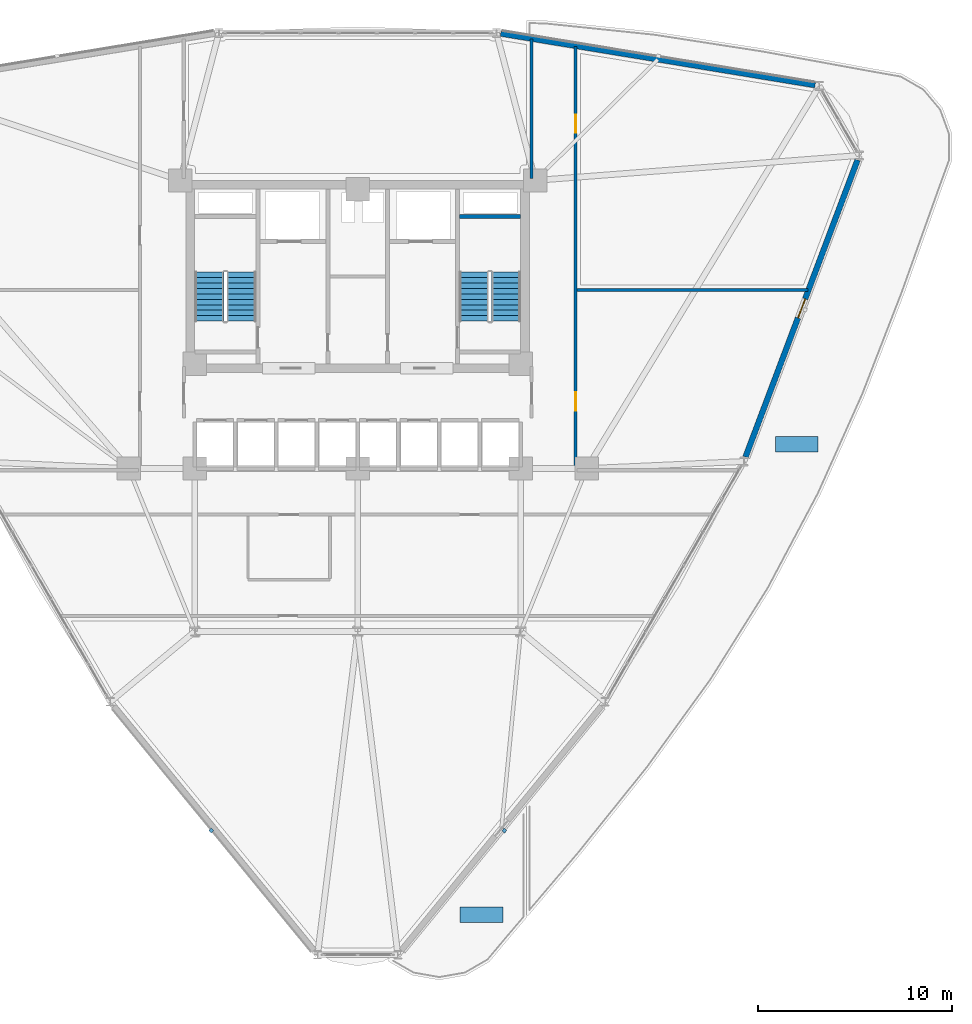
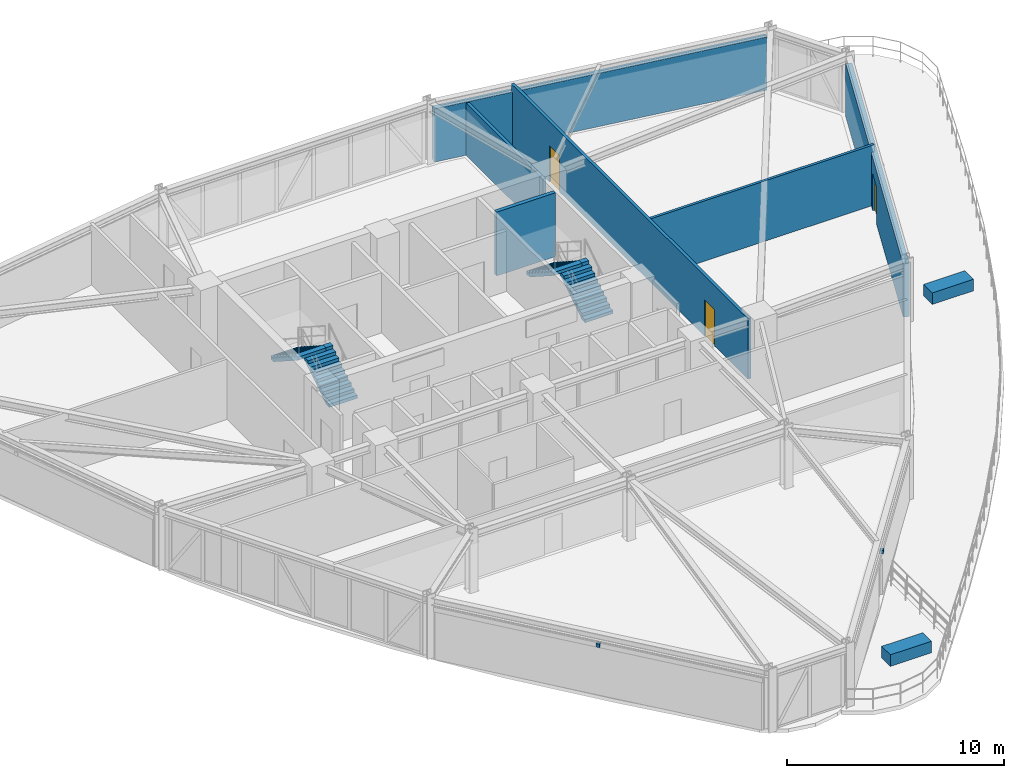
# One storey, part 19 of 23: 6 walls, 4 discrete accessories, 4 stair flights, 3 doors, 3 openings, 2 elements without a shape of their own.
"""IFC4 building model written with IfcOpenShell, lengths in metres."""

from ifc_helpers import new_model, si_unit, derived_unit, direction, frame, frame_2d, origin, origin_2d, place, context, subcontext, project, spatial, polyline, rectangle, outline, extrude, source, transform, mapped, material, layer, layer_set, type_object, element, fill, aggregate, save


model = new_model("IFC4")

# Units and contexts
model_context = context("Model", 3, precision=1e-05, world=origin(), true_north=direction((0.0, 1.0)))
body_context = subcontext(model_context, "Body", "Model", "MODEL_VIEW")
ifc_project = project(units=[si_unit("LENGTHUNIT", "METRE"), si_unit("AREAUNIT", "SQUARE_METRE"), si_unit("VOLUMEUNIT", "CUBIC_METRE"), si_unit("PLANEANGLEUNIT", "RADIAN"), si_unit("MASSUNIT", "GRAM", prefix="KILO"), derived_unit("THERMALTRANSMITTANCEUNIT", [(si_unit("POWERUNIT", "WATT"), 1), (si_unit("LENGTHUNIT", "METRE"), -2), (si_unit("THERMODYNAMICTEMPERATUREUNIT", "KELVIN"), -1)])], contexts=[model_context])

# Site, building, storey
site_placement = place(None, origin())
site = spatial("IfcSite", under=ifc_project, at=site_placement, CompositionType="ELEMENT")
building_placement = place(site_placement, origin())
building = spatial("IfcBuilding", under=site, at=building_placement, Name="Korsvarv Bourse and Concert Hall", CompositionType="ELEMENT")
storey_placement = place(building_placement, frame((0.0, 0.0, 99.0)))
storey = spatial("IfcBuildingStorey", under=building, at=storey_placement, Name="L24", CompositionType="ELEMENT", Elevation=99.0)

# Wall
ifc_material_1 = material(Name="Concrete C50/60", Category="concrete")
ifc_layer_1 = layer(ifc_material_1, 0.3798828125)
ifc_layer_set_1 = layer_set([ifc_layer_1], Name="Concrete C50/60")
wall_type_1 = type_object("IfcWallType", Name="WL-CORE-380", PredefinedType="SHEAR", material=ifc_layer_set_1)
wall_1_placement = place(storey_placement, frame((41.25, 45.39990234375, 0.0), z_axis=(0.0, 0.0, 1.0), x_axis=(1.0, 0.0, 0.0)))
element("IfcWall", 1, at=wall_1_placement, inside=storey, type_object=wall_type_1, Name="L24 stair shaft structural wall W-L24-ST2-N", PredefinedType="SHEAR", context=body_context, shape_type="SweptSolid", body=[
    extrude(rectangle(XDim=3.139892578125, YDim=0.199951171875, at=frame_2d((1.56982421875, 0.0))), origin(), (0.0, 0.0, 1.0), 3.60009765625),
])

# Wall, opening, door
ifc_material_2 = material(Name="Precast concrete C45/55 with terracotta rainscreen", Category="concrete")
ifc_layer_2 = layer(ifc_material_2, 0.300048828125)
ifc_layer_set_2 = layer_set([ifc_layer_2], Name="Precast concrete C45/55 with terracotta rainscreen")
wall_type_2 = type_object("IfcWallType", Name="WL-EXT-TC1", PredefinedType="SOLIDWALL", material=ifc_layer_set_2)
wall_2_placement = place(storey_placement, frame((55.98828125, 32.998291015625, 0.0), z_axis=(0.0, 0.0, 1.0), x_axis=(0.353021512356, 0.935615204993, 0.0)))
wall_2 = element("IfcWall", 2, at=wall_2_placement, inside=storey, type_object=wall_type_2, Name="L24 terracotta exterior wall EW-L24-B12", PredefinedType="SOLIDWALL", context=body_context, shape_type="SweptSolid", body=[
    extrude(rectangle(XDim=16.359130859375, YDim=0.300048828125, at=frame_2d((8.1796875, 0.0))), origin(), (0.0, 0.0, 1.0), 3.0),
])
opening_1_placement = place(wall_2_placement, frame((7.654541015625, 0.0, 0.0)))
opening_1 = element("IfcOpeningElement", 3, at=opening_1_placement, cuts=wall_2, Name="Opening ED-02", PredefinedType="OPENING", context=body_context, shape_type="SweptSolid", body=[
    extrude(rectangle(XDim=1.050048828125, YDim=2.10009765625, at=frame_2d((0.52490234375, 1.050048828125))), frame((0.0, 0.16015625, 0.0), z_axis=(0.0, -1.0, 0.0), x_axis=(1.0, 0.0, 0.0)), (0.0, 0.0, 1.0), 0.320068359375),
])
ifc_material_3 = material(Name="Thermally broken anodised aluminium and laminated safety glass", Category="aluminium")
door_type_1 = type_object("IfcDoorType", Name="DR-EXT-TERR", OperationType="NOTDEFINED", PredefinedType="DOOR", material=ifc_material_3)
door_1_placement = place(opening_1_placement, frame((1.050048828125, 0.0, 0.0), z_axis=(0.0, 0.0, 1.0), x_axis=(-1.0, 0.0, 0.0)))
door_1 = element("IfcDoor", 4, at=door_1_placement, inside=storey, type_object=door_type_1, Name="L24 Sky Garden Terrace Access Door", OperationType="SINGLE_SWING_LEFT", OverallHeight=2.10009765625, OverallWidth=1.050048828125, PredefinedType="DOOR", context=body_context, shape_type="SweptSolid", body=[
    extrude(rectangle(XDim=1.050048828125, YDim=2.10009765625, at=frame_2d((0.52490234375, 1.050048828125))), frame((0.0, 0.02490234375, 0.0), z_axis=(0.0, -1.0, 0.0), x_axis=(1.0, 0.0, 0.0)), (0.0, 0.0, 1.0), 0.050048828125),
])
fill(opening_1, door_1)

# Wall
ifc_material_4 = material(Name="Precast concrete C45/55 with fluted terracotta pier", Category="concrete")
ifc_layer_3 = layer(ifc_material_4, 0.280029296875)
ifc_layer_set_3 = layer_set([ifc_layer_3], Name="Precast concrete C45/55 with fluted terracotta pier")
wall_type_3 = type_object("IfcWallType", Name="WL-EXT-TC2", PredefinedType="SOLIDWALL", material=ifc_layer_set_3)
wall_3_placement = place(storey_placement, frame((59.56884765625, 52.154541015625, 0.0), z_axis=(0.0, 0.0, 1.0), x_axis=(-0.986776921995, 0.162084256539, 0.0)))
element("IfcWall", 5, at=wall_3_placement, inside=storey, type_object=wall_type_3, Name="L24 terracotta exterior wall EW-L24-B02", PredefinedType="SOLIDWALL", context=body_context, shape_type="SweptSolid", body=[
    extrude(rectangle(XDim=16.422607421875, YDim=0.280029296875, at=frame_2d((8.21142578125, 0.0))), origin(), (0.0, 0.0, 1.0), 3.0),
])

# Wall, openings, doors
ifc_material_5 = material(Name="Double-stud fire-rated acoustic partition", Category="gypsum")
ifc_layer_4 = layer(ifc_material_5, 0.159912109375)
ifc_layer_set_4 = layer_set([ifc_layer_4], Name="Double-stud fire-rated acoustic partition")
wall_type_4 = type_object("IfcWallType", Name="WL-INT-EI60", PredefinedType="PARTITIONING", material=ifc_layer_set_4)
wall_4_placement = place(storey_placement, frame((47.22509765625, 32.31005859375, 0.0), z_axis=(0.0, 0.0, 1.0), x_axis=(0.0, 1.0, 0.0)))
wall_4 = element("IfcWall", 6, at=wall_4_placement, inside=storey, type_object=wall_type_4, Name="L24 interior partition wall W-L24-TCOR-02", PredefinedType="PARTITIONING", context=body_context, shape_type="SweptSolid", body=[
    extrude(rectangle(XDim=21.85205078125, YDim=0.159912109375, at=frame_2d((10.926025390625, 0.0))), origin(), (0.0, 0.0, 1.0), 3.39990234375),
])
opening_2_placement = place(wall_4_placement, frame((3.064208984375, 0.0, 0.0)))
opening_2 = element("IfcOpeningElement", 7, at=opening_2_placement, cuts=wall_4, Name="Opening D-02", PredefinedType="OPENING", context=body_context, shape_type="SweptSolid", body=[
    extrude(rectangle(XDim=0.949951171875, YDim=2.050048828125, at=frame_2d((0.47509765625, 1.02490234375))), frame((0.0, 0.08984375, 0.0), z_axis=(0.0, -1.0, 0.0), x_axis=(1.0, 0.0, 0.0)), (0.0, 0.0, 1.0), 0.179931640625),
])
opening_3_placement = place(wall_4_placement, frame((17.38525390625, 0.0, 0.0)))
opening_3 = element("IfcOpeningElement", 8, at=opening_3_placement, cuts=wall_4, Name="Opening D-02", PredefinedType="OPENING", context=body_context, shape_type="SweptSolid", body=[
    extrude(rectangle(XDim=0.949951171875, YDim=2.050048828125, at=frame_2d((0.47509765625, 1.02490234375))), frame((0.0, 0.08984375, 0.0), z_axis=(0.0, -1.0, 0.0), x_axis=(1.0, 0.0, 0.0)), (0.0, 0.0, 1.0), 0.179931640625),
])
ifc_material_6 = material(Name="Timber and steel acoustic fire door", Category="wood")
door_type_2 = type_object("IfcDoorType", Name="DR-FD30", OperationType="NOTDEFINED", PredefinedType="DOOR", material=ifc_material_6)
door_2_placement = place(opening_2_placement, origin())
door_2 = element("IfcDoor", 9, at=door_2_placement, inside=storey, type_object=door_type_2, Name="L24 interior door DR-L24-TCOR-SL51", OperationType="SINGLE_SWING_RIGHT", OverallHeight=2.050048828125, OverallWidth=0.949951171875, PredefinedType="DOOR", context=body_context, shape_type="SweptSolid", body=[
    extrude(rectangle(XDim=0.949951171875, YDim=2.050048828125, at=frame_2d((0.47509765625, 1.02490234375))), frame((0.0, 0.02490234375, 0.0), z_axis=(0.0, -1.0, 0.0), x_axis=(1.0, 0.0, 0.0)), (0.0, 0.0, 1.0), 0.050048828125),
])
fill(opening_2, door_2)
door_3_placement = place(opening_3_placement, origin())
door_3 = element("IfcDoor", 10, at=door_3_placement, inside=storey, type_object=door_type_2, Name="L24 interior door DR-L24-TCOR-SL62", OperationType="SINGLE_SWING_LEFT", OverallHeight=2.050048828125, OverallWidth=0.949951171875, PredefinedType="DOOR", context=body_context, shape_type="SweptSolid", body=[
    extrude(rectangle(XDim=0.949951171875, YDim=2.050048828125, at=frame_2d((0.47509765625, 1.02490234375))), frame((0.0, 0.02490234375, 0.0), z_axis=(0.0, -1.0, 0.0), x_axis=(1.0, 0.0, 0.0)), (0.0, 0.0, 1.0), 0.050048828125),
])
fill(opening_3, door_3)

# Walls
wall_5_placement = place(storey_placement, frame((44.965087890625, 47.340087890625, 0.0), z_axis=(0.0, 0.0, 1.0), x_axis=(0.0, 1.0, 0.0)))
element("IfcWall", 11, at=wall_5_placement, inside=storey, type_object=wall_type_4, Name="L24 interior partition wall W-L24-TCOR-07", PredefinedType="PARTITIONING", context=body_context, shape_type="SweptSolid", body=[
    extrude(rectangle(XDim=7.193115234375, YDim=0.159912109375, at=frame_2d((3.5966796875, 0.0))), origin(), (0.0, 0.0, 1.0), 2.949951171875),
])
ifc_material_7 = material(Name="Insulated steel-stud office acoustic partition", Category="gypsum")
ifc_layer_5 = layer(ifc_material_7, 0.139892578125)
ifc_layer_set_5 = layer_set([ifc_layer_5], Name="Insulated steel-stud office acoustic partition")
wall_type_5 = type_object("IfcWallType", Name="WL-INT-P1", PredefinedType="PARTITIONING", material=ifc_layer_set_5)
wall_6_placement = place(storey_placement, frame((47.306884765625, 41.60498046875, 0.0), z_axis=(0.0, 0.0, 1.0), x_axis=(1.0, 0.0, 0.0)))
element("IfcWall", 12, at=wall_6_placement, inside=storey, type_object=wall_type_5, Name="L24 interior partition wall W-L24-TCOR-09", PredefinedType="PARTITIONING", context=body_context, shape_type="SweptSolid", body=[
    extrude(rectangle(XDim=11.908935546875, YDim=0.139892578125, at=frame_2d((5.95458984375, 0.0))), origin(), (0.0, 0.0, 1.0), 3.39990234375),
])

# Stair, stair flights
ifc_material_8 = material(Name="Precast concrete C45/55", Category="concrete")
stair_type = type_object("IfcStairType", Name="STR-TYPE-04", PredefinedType="HALF_TURN_STAIR", material=ifc_material_8)
stair_1_placement = place(storey_placement, origin())
stair_1 = element("IfcStair", 13, at=stair_1_placement, inside=storey, type_object=stair_type, Name="L24 Tower West Exit Stair ST-T1", PredefinedType="HALF_TURN_STAIR")
stair_flight_type = type_object("IfcStairFlightType", Name="FLT-TYPE-04", PredefinedType="STRAIGHT", material=ifc_material_8)
stair_flight_1_placement = place(storey_placement, frame((30.010009765625, 40.0, 0.0), z_axis=(0.0, 0.0, 1.0), x_axis=(0.0, 1.0, 0.0)))
stair_flight_1 = element("IfcStairFlight", 14, at=stair_flight_1_placement, type_object=stair_flight_type, Name="ST-T1 flight 1", NumberOfRisers=10, NumberOfTreads=9, PredefinedType="STRAIGHT", RiserHeight=0.18, TreadLength=0.28, context=body_context, shape_type="SweptSolid", body=[
    extrude(outline(polyline([(0.0, 0.0), (0.0, 0.179931640625), (0.280029296875, 0.179931640625), (0.280029296875, 0.360107421875), (0.56005859375, 0.360107421875), (0.56005859375, 0.5400390625), (0.840087890625, 0.5400390625), (0.840087890625, 0.719970703125), (1.1201171875, 0.719970703125), (1.1201171875, 0.89990234375), (1.39990234375, 0.89990234375), (1.39990234375, 1.080078125), (1.679931640625, 1.080078125), (1.679931640625, 1.260009765625), (1.9599609375, 1.260009765625), (1.9599609375, 1.43994140625), (2.239990234375, 1.43994140625), (2.239990234375, 1.6201171875), (2.52001953125, 1.6201171875), (2.52001953125, 1.800048828125), (2.52001953125, 1.44189453125), (0.277099609375, 0.0), (0.0, 0.0)])), frame((0.0, 0.75, 0.0), z_axis=(0.0, -1.0, 0.0), x_axis=(1.0, 0.0, 0.0)), (0.0, 0.0, 1.0), 1.5),
])
stair_flight_2_placement = place(storey_placement, frame((28.35009765625, 42.52001953125, 1.800048828125), z_axis=(0.0, 0.0, 1.0), x_axis=(0.0, -1.0, 0.0)))
stair_flight_2 = element("IfcStairFlight", 15, at=stair_flight_2_placement, type_object=stair_flight_type, Name="ST-T1 flight 2", NumberOfRisers=10, NumberOfTreads=9, PredefinedType="STRAIGHT", RiserHeight=0.18, TreadLength=0.28, context=body_context, shape_type="SweptSolid", body=[
    extrude(outline(polyline([(0.0, 0.0), (0.0, 0.179931640625), (0.280029296875, 0.179931640625), (0.280029296875, 0.360107421875), (0.56005859375, 0.360107421875), (0.56005859375, 0.5400390625), (0.840087890625, 0.5400390625), (0.840087890625, 0.719970703125), (1.1201171875, 0.719970703125), (1.1201171875, 0.89990234375), (1.39990234375, 0.89990234375), (1.39990234375, 1.080078125), (1.679931640625, 1.080078125), (1.679931640625, 1.260009765625), (1.9599609375, 1.260009765625), (1.9599609375, 1.43994140625), (2.239990234375, 1.43994140625), (2.239990234375, 1.6201171875), (2.52001953125, 1.6201171875), (2.52001953125, 1.800048828125), (2.52001953125, 1.44189453125), (0.277099609375, 0.0), (0.0, 0.0)])), frame((0.0, 0.75, 0.0), z_axis=(0.0, -1.0, 0.0), x_axis=(1.0, 0.0, 0.0)), (0.0, 0.0, 1.0), 1.5),
])
aggregate(stair_1, [stair_flight_1, stair_flight_2])

stair_2_placement = place(storey_placement, origin())
stair_2 = element("IfcStair", 16, at=stair_2_placement, inside=storey, type_object=stair_type, Name="L24 Tower East Exit Stair ST-T2", PredefinedType="HALF_TURN_STAIR")
stair_flight_3_placement = place(storey_placement, frame((43.64990234375, 40.0, 0.0), z_axis=(0.0, 0.0, 1.0), x_axis=(0.0, 1.0, 0.0)))
stair_flight_3 = element("IfcStairFlight", 17, at=stair_flight_3_placement, type_object=stair_flight_type, Name="ST-T2 flight 1", NumberOfRisers=10, NumberOfTreads=9, PredefinedType="STRAIGHT", RiserHeight=0.18, TreadLength=0.28, context=body_context, shape_type="SweptSolid", body=[
    extrude(outline(polyline([(0.0, 0.0), (0.0, 0.179931640625), (0.280029296875, 0.179931640625), (0.280029296875, 0.360107421875), (0.56005859375, 0.360107421875), (0.56005859375, 0.5400390625), (0.840087890625, 0.5400390625), (0.840087890625, 0.719970703125), (1.1201171875, 0.719970703125), (1.1201171875, 0.89990234375), (1.39990234375, 0.89990234375), (1.39990234375, 1.080078125), (1.679931640625, 1.080078125), (1.679931640625, 1.260009765625), (1.9599609375, 1.260009765625), (1.9599609375, 1.43994140625), (2.239990234375, 1.43994140625), (2.239990234375, 1.6201171875), (2.52001953125, 1.6201171875), (2.52001953125, 1.800048828125), (2.52001953125, 1.44189453125), (0.277099609375, 0.0), (0.0, 0.0)])), frame((0.0, 0.75, 0.0), z_axis=(0.0, -1.0, 0.0), x_axis=(1.0, 0.0, 0.0)), (0.0, 0.0, 1.0), 1.5),
])
stair_flight_4_placement = place(storey_placement, frame((41.989990234375, 42.52001953125, 1.800048828125), z_axis=(0.0, 0.0, 1.0), x_axis=(0.0, -1.0, 0.0)))
stair_flight_4 = element("IfcStairFlight", 18, at=stair_flight_4_placement, type_object=stair_flight_type, Name="ST-T2 flight 2", NumberOfRisers=10, NumberOfTreads=9, PredefinedType="STRAIGHT", RiserHeight=0.18, TreadLength=0.28, context=body_context, shape_type="SweptSolid", body=[
    extrude(outline(polyline([(0.0, 0.0), (0.0, 0.179931640625), (0.280029296875, 0.179931640625), (0.280029296875, 0.360107421875), (0.56005859375, 0.360107421875), (0.56005859375, 0.5400390625), (0.840087890625, 0.5400390625), (0.840087890625, 0.719970703125), (1.1201171875, 0.719970703125), (1.1201171875, 0.89990234375), (1.39990234375, 0.89990234375), (1.39990234375, 1.080078125), (1.679931640625, 1.080078125), (1.679931640625, 1.260009765625), (1.9599609375, 1.260009765625), (1.9599609375, 1.43994140625), (2.239990234375, 1.43994140625), (2.239990234375, 1.6201171875), (2.52001953125, 1.6201171875), (2.52001953125, 1.800048828125), (2.52001953125, 1.44189453125), (0.277099609375, 0.0), (0.0, 0.0)])), frame((0.0, 0.75, 0.0), z_axis=(0.0, -1.0, 0.0), x_axis=(1.0, 0.0, 0.0)), (0.0, 0.0, 1.0), 1.5),
])
aggregate(stair_2, [stair_flight_3, stair_flight_4])

# Discrete accessories
ifc_material_9 = material(Name="Stainless Steel S355 facade outrigger bracket", Category="steel")
discrete_accessory_type_1 = type_object("IfcDiscreteAccessoryType", Name="ACC-BRK-1", PredefinedType="BRACKET", material=ifc_material_9)
shared_shape_1 = source(origin(), body_context, "Body", "SweptSolid", [
    extrude(rectangle(XDim=0.179931640625, YDim=0.179931640625, at=origin_2d()), origin(), (0.0, 0.0, 1.0), 0.199951171875),
])
for number, where, z_axis, x_axis, name in (
    (19, (28.450927734375, 13.749267578125, 2.740234375), (0.0, 0.0, 1.0), (0.633785967573, -0.773508466216, 0.0), "L24 terracotta sunshade bracket EW-L24-B08"),
    (20, (43.556884765625, 13.742919921875, 2.740234375), (0.0, 0.0, 1.0), (0.633785967573, 0.773508466216, 0.0), "L24 terracotta sunshade bracket EW-L24-B10"),
):
    element("IfcDiscreteAccessory", number, at=place(storey_placement, frame(where, z_axis=z_axis, x_axis=x_axis)), inside=storey, type_object=discrete_accessory_type_1, Name=name, PredefinedType="BRACKET", context=body_context, shape_type="MappedRepresentation", body=[
        mapped(shared_shape_1, transform((0.0, 0.0, 0.0), scale=1.0)),
    ])
ifc_material_10 = material(Name="Architectural precast concrete C45/55 with terracotta facing", Category="concrete")
discrete_accessory_type_2 = type_object("IfcDiscreteAccessoryType", Name="ACC-PLN-1", PredefinedType="USERDEFINED", material=ifc_material_10)
shared_shape_2 = source(origin(), body_context, "Body", "SweptSolid", [
    extrude(rectangle(XDim=2.199951171875, YDim=0.800048828125, at=origin_2d()), origin(), (0.0, 0.0, 1.0), 0.64990234375),
])
for number, where, z_axis, x_axis, name in (
    (21, (58.629150390625, 33.662109375, 0.0), (0.0, 0.0, 1.0), (1.0, 0.0, 0.0), "L24 landscaped terracotta planter 1"),
    (22, (42.382568359375, 9.40087890625, 0.0), (0.0, 0.0, 1.0), (1.0, 0.0, 0.0), "L24 landscaped terracotta planter 1"),
):
    element("IfcDiscreteAccessory", number, at=place(storey_placement, frame(where, z_axis=z_axis, x_axis=x_axis)), inside=storey, type_object=discrete_accessory_type_2, Name=name, ObjectType="PLANTER", PredefinedType="USERDEFINED", context=body_context, shape_type="MappedRepresentation", body=[
        mapped(shared_shape_2, transform((0.0, 0.0, 0.0), scale=1.0)),
    ])

save(model, "model.ifc")
